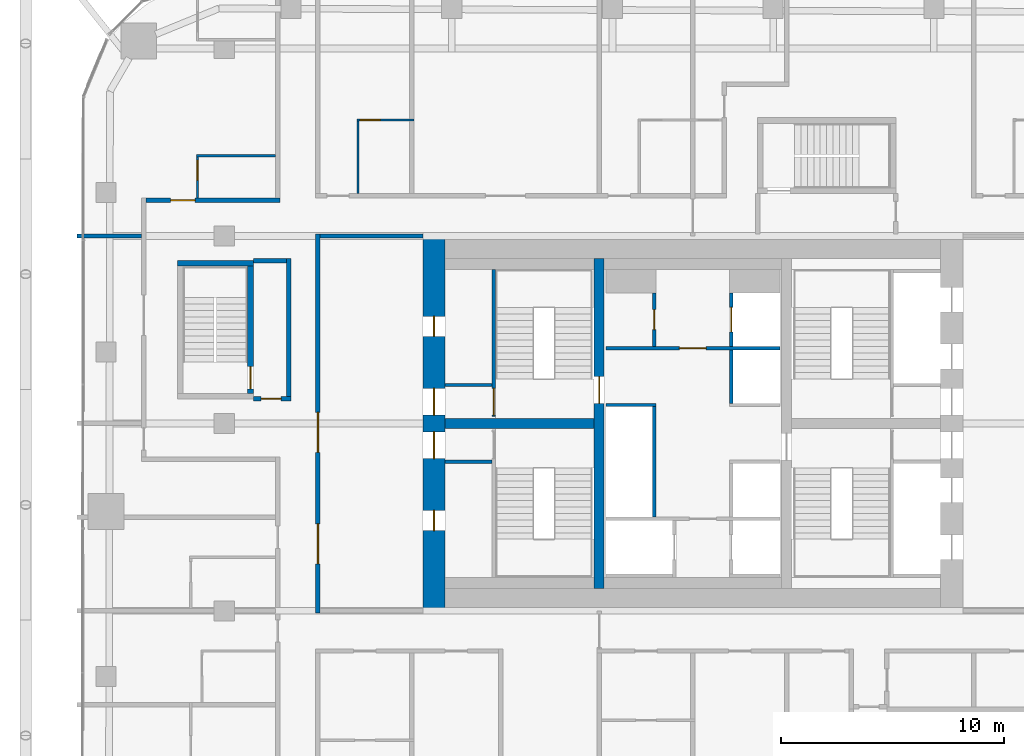
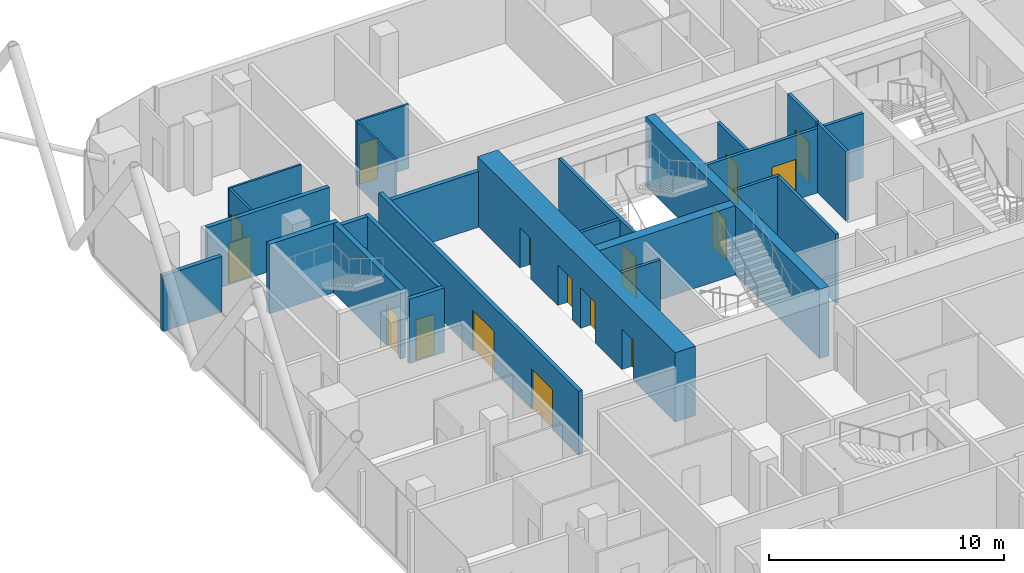
# One storey, part 28 of 33: 25 walls, 16 doors, 16 openings.
"""IFC4 building model written with IfcOpenShell, lengths in metres."""

from ifc_helpers import new_model, si_unit, direction, frame, frame_2d, origin, place, context, subcontext, project, spatial, rectangle, extrude, material, layer, layer_set, type_object, element, fill, save


model = new_model("IFC4")

# Units and contexts
model_context = context("Model", 3, precision=1e-05, world=origin(), true_north=direction((0.0, 1.0)))
body_context = subcontext(model_context, "Body", "Model", "MODEL_VIEW")
ifc_project = project(units=[si_unit("LENGTHUNIT", "METRE"), si_unit("AREAUNIT", "SQUARE_METRE"), si_unit("VOLUMEUNIT", "CUBIC_METRE"), si_unit("PLANEANGLEUNIT", "RADIAN"), si_unit("MASSUNIT", "GRAM", prefix="KILO")], contexts=[model_context])

# Site, building, storey
site_placement = place(None, origin())
site = spatial("IfcSite", under=ifc_project, at=site_placement, CompositionType="ELEMENT")
building_placement = place(site_placement, origin())
building = spatial("IfcBuilding", under=site, at=building_placement, Name="Marenta Gate Hotel Tower", CompositionType="ELEMENT")
storey_placement = place(building_placement, frame((0.0, 0.0, 137.300048828125)))
storey = spatial("IfcBuildingStorey", under=building, at=storey_placement, Name="L31", CompositionType="ELEMENT", Elevation=137.300048828125)

# Wall, openings, doors
ifc_material_1 = material(Name="Concrete blockwork", Category="masonry")
ifc_layer_1 = layer(ifc_material_1, 0.199951171875)
ifc_layer_set_1 = layer_set([ifc_layer_1], Name="Concrete blockwork")
wall_type_1 = type_object("IfcWallType", Name="Core boundary wall 200 REI 180", PredefinedType="PARTITIONING", material=ifc_layer_set_1)
wall_1_placement = place(storey_placement, frame((-16.800048828125, -0.10009765625, 0.0), z_axis=(0.0, 0.0, 1.0), x_axis=(0.0, 1.0, 0.0)))
wall_1 = element("IfcWall", 1, at=wall_1_placement, inside=storey, type_object=wall_type_1, Name="L31-CP-BW-W", PredefinedType="PARTITIONING", context=body_context, shape_type="SweptSolid", body=[
    extrude(rectangle(XDim=17.0, YDim=0.199951171875, at=frame_2d((8.5, 0.0))), origin(), (0.0, 0.0, 1.0), 3.33984375),
])
opening_1_placement = place(wall_1_placement, frame((2.199951171875, 0.0, 0.0)))
opening_1 = element("IfcOpeningElement", 2, at=opening_1_placement, cuts=wall_1, Name="Opening ED-Wa-B", PredefinedType="OPENING", context=body_context, shape_type="SweptSolid", body=[
    extrude(rectangle(XDim=1.800048828125, YDim=2.10009765625, at=frame_2d((0.89990234375, 1.050048828125))), frame((0.0, 0.10009765625, 0.0), z_axis=(0.0, -1.0, 0.0), x_axis=(1.0, 0.0, 0.0)), (0.0, 0.0, 1.0), 0.199951171875),
])
opening_2_placement = place(wall_1_placement, frame((7.199951171875, 0.0, 0.0)))
opening_2 = element("IfcOpeningElement", 3, at=opening_2_placement, cuts=wall_1, Name="Opening ED-Wb-B", PredefinedType="OPENING", context=body_context, shape_type="SweptSolid", body=[
    extrude(rectangle(XDim=1.800048828125, YDim=2.10009765625, at=frame_2d((0.89990234375, 1.050048828125))), frame((0.0, 0.10009765625, 0.0), z_axis=(0.0, -1.0, 0.0), x_axis=(1.0, 0.0, 0.0)), (0.0, 0.0, 1.0), 0.199951171875),
])
ifc_material_2 = material(Name="Steel", Category="steel")
door_type_1 = type_object("IfcDoorType", Name="Core lobby entrance door 1800x2100 EI 60", OperationType="DOUBLE_DOOR_SINGLE_SWING", PredefinedType="DOOR", material=ifc_material_2)
door_1_placement = place(opening_1_placement, origin())
door_1 = element("IfcDoor", 4, at=door_1_placement, inside=storey, type_object=door_type_1, Name="ED-Wa-B", OperationType="DOUBLE_DOOR_SINGLE_SWING", OverallHeight=2.10009765625, OverallWidth=1.800048828125, PredefinedType="DOOR", context=body_context, shape_type="SweptSolid", body=[
    extrude(rectangle(XDim=1.800048828125, YDim=2.10009765625, at=frame_2d((0.89990234375, 1.050048828125))), frame((0.0, 0.02490234375, 0.0), z_axis=(0.0, -1.0, 0.0), x_axis=(1.0, 0.0, 0.0)), (0.0, 0.0, 1.0), 0.050048828125),
])
fill(opening_1, door_1)
door_2_placement = place(opening_2_placement, origin())
door_2 = element("IfcDoor", 5, at=door_2_placement, inside=storey, type_object=door_type_1, Name="ED-Wb-B", OperationType="DOUBLE_DOOR_SINGLE_SWING", OverallHeight=2.10009765625, OverallWidth=1.800048828125, PredefinedType="DOOR", context=body_context, shape_type="SweptSolid", body=[
    extrude(rectangle(XDim=1.800048828125, YDim=2.10009765625, at=frame_2d((0.89990234375, 1.050048828125))), frame((0.0, 0.02490234375, 0.0), z_axis=(0.0, -1.0, 0.0), x_axis=(1.0, 0.0, 0.0)), (0.0, 0.0, 1.0), 0.050048828125),
])
fill(opening_2, door_2)

# Wall
wall_2_placement = place(storey_placement, frame((-16.699951171875, 16.800048828125, 0.0), z_axis=(0.0, 0.0, 1.0), x_axis=(1.0, 0.0, 0.0)))
element("IfcWall", 6, at=wall_2_placement, inside=storey, type_object=wall_type_1, Name="L31-CP-EW-WN", PredefinedType="PARTITIONING", context=body_context, shape_type="SweptSolid", body=[
    extrude(rectangle(XDim=4.599853515625, YDim=0.199951171875, at=frame_2d((2.2998046875, 0.0))), origin(), (0.0, 0.0, 1.0), 2.889892578125),
])

# Wall, opening, door
ifc_material_3 = material(Name="Concrete blockwork", Category="masonry")
ifc_layer_2 = layer(ifc_material_3, 0.14990234375)
ifc_layer_set_2 = layer_set([ifc_layer_2], Name="Concrete blockwork")
wall_type_2 = type_object("IfcWallType", Name="Core lobby partition 150 REI 180", PredefinedType="PARTITIONING", material=ifc_layer_set_2)
wall_3_placement = place(storey_placement, frame((-3.89990234375, 11.77490234375, 0.0), z_axis=(0.0, 0.0, 1.0), x_axis=(1.0, 0.0, 0.0)))
wall_3 = element("IfcWall", 7, at=wall_3_placement, inside=storey, type_object=wall_type_2, Name="L31-CP-CW-N", PredefinedType="PARTITIONING", context=body_context, shape_type="SweptSolid", body=[
    extrude(rectangle(XDim=7.7998046875, YDim=0.14990234375, at=frame_2d((3.89990234375, 0.0))), origin(), (0.0, 0.0, 1.0), 3.33984375),
])
opening_3_placement = place(wall_3_placement, frame((3.300048828125, 0.0, 0.0)))
opening_3 = element("IfcOpeningElement", 8, at=opening_3_placement, cuts=wall_3, Name="Opening FD-FFN", PredefinedType="OPENING", context=body_context, shape_type="SweptSolid", body=[
    extrude(rectangle(XDim=1.199951171875, YDim=2.10009765625, at=frame_2d((0.60009765625, 1.050048828125))), frame((0.0, 0.074951171875, 0.0), z_axis=(0.0, -1.0, 0.0), x_axis=(1.0, 0.0, 0.0)), (0.0, 0.0, 1.0), 0.14990234375),
])
ifc_material_4 = material(Name="Steel", Category="steel")
door_type_2 = type_object("IfcDoorType", Name="Core lobby door 1200x2100 FD60", OperationType="SINGLE_SWING_LEFT", PredefinedType="DOOR", material=ifc_material_4)
door_3_placement = place(opening_3_placement, origin())
door_3 = element("IfcDoor", 9, at=door_3_placement, inside=storey, type_object=door_type_2, Name="FD-FFN", OperationType="SINGLE_SWING_LEFT", OverallHeight=2.10009765625, OverallWidth=1.199951171875, PredefinedType="DOOR", context=body_context, shape_type="SweptSolid", body=[
    extrude(rectangle(XDim=1.199951171875, YDim=2.10009765625, at=frame_2d((0.60009765625, 1.050048828125))), frame((0.0, 0.02490234375, 0.0), z_axis=(0.0, -1.0, 0.0), x_axis=(1.0, 0.0, 0.0)), (0.0, 0.0, 1.0), 0.050048828125),
])
fill(opening_3, door_3)

# Walls
ifc_material_5 = material(Name="Concrete blockwork", Category="masonry")
ifc_layer_3 = layer(ifc_material_5, 0.14990234375)
ifc_layer_set_3 = layer_set([ifc_layer_3], Name="Concrete blockwork")
wall_type_3 = type_object("IfcWallType", Name="Core room partition 150 REI 180", PredefinedType="PARTITIONING", material=ifc_layer_set_3)
for number, where, z_axis, x_axis, name in (
    (10, (-11.10009765625, 6.675048828125, 0.0), (0.0, 0.0, 1.0), (1.0, 0.0, 0.0), "L31-CP-SW-WS-2"),
    (11, (-11.10009765625, 10.125, 0.0), (0.0, 0.0, 1.0), (1.0, 0.0, 0.0), "L31-CP-SW-WN-2"),
):
    element("IfcWall", number, at=place(storey_placement, frame(where, z_axis=z_axis, x_axis=x_axis)), inside=storey, type_object=wall_type_3, Name=name, PredefinedType="PARTITIONING", context=body_context, shape_type="SweptSolid", body=[
        extrude(rectangle(XDim=2.10009765625, YDim=0.14990234375, at=frame_2d((1.050048828125, 0.0))), origin(), (0.0, 0.0, 1.0), 3.33984375),
    ])

# Wall, opening, door
wall_4_placement = place(storey_placement, frame((-1.72509765625, 11.85009765625, 0.0), z_axis=(0.0, 0.0, 1.0), x_axis=(0.0, 1.0, 0.0)))
wall_4 = element("IfcWall", 12, at=wall_4_placement, inside=storey, type_object=wall_type_3, Name="L31-CP-CW-W-riser-front", PredefinedType="PARTITIONING", context=body_context, shape_type="SweptSolid", body=[
    extrude(rectangle(XDim=2.39990234375, YDim=0.14990234375, at=frame_2d((1.199951171875, 0.0))), origin(), (0.0, 0.0, 1.0), 3.33984375),
])
opening_4_placement = place(wall_4_placement, frame((0.75, 0.0, 0.0)))
opening_4 = element("IfcOpeningElement", 13, at=opening_4_placement, cuts=wall_4, Name="Opening RD-CRISER", PredefinedType="OPENING", context=body_context, shape_type="SweptSolid", body=[
    extrude(rectangle(XDim=0.89990234375, YDim=2.10009765625, at=frame_2d((0.449951171875, 1.050048828125))), frame((0.0, 0.074951171875, 0.0), z_axis=(0.0, -1.0, 0.0), x_axis=(1.0, 0.0, 0.0)), (0.0, 0.0, 1.0), 0.14990234375),
])
ifc_material_6 = material(Name="Steel", Category="steel")
door_type_3 = type_object("IfcDoorType", Name="Core riser door 900x2100 FD60", OperationType="SINGLE_SWING_LEFT", PredefinedType="DOOR", material=ifc_material_6)
door_4_placement = place(opening_4_placement, origin())
door_4 = element("IfcDoor", 14, at=door_4_placement, inside=storey, type_object=door_type_3, Name="RD-CRISER", OperationType="SINGLE_SWING_LEFT", OverallHeight=2.10009765625, OverallWidth=0.89990234375, PredefinedType="DOOR", context=body_context, shape_type="SweptSolid", body=[
    extrude(rectangle(XDim=0.89990234375, YDim=2.10009765625, at=frame_2d((0.449951171875, 1.050048828125))), frame((0.0, 0.02490234375, 0.0), z_axis=(0.0, -1.0, 0.0), x_axis=(1.0, 0.0, 0.0)), (0.0, 0.0, 1.0), 0.050048828125),
])
fill(opening_4, door_4)

# Walls
ifc_material_7 = material(Name="Concrete C40", Category="concrete")
ifc_layer_4 = layer(ifc_material_7, 0.14990234375)
ifc_layer_set_4 = layer_set([ifc_layer_4], Name="Concrete C40")
wall_type_4 = type_object("IfcWallType", Name="Core shaft wall 150 REI 180", PredefinedType="SHEAR", material=ifc_layer_set_4)
wall_5_placement = place(storey_placement, frame((-1.72509765625, 4.199951171875, 0.0), z_axis=(0.0, 0.0, 1.0), x_axis=(0.0, 1.0, 0.0)))
element("IfcWall", 15, at=wall_5_placement, inside=storey, type_object=wall_type_4, Name="L31-SHF-CW-W-front", PredefinedType="SHEAR", context=body_context, shape_type="SweptSolid", body=[
    extrude(rectangle(XDim=4.949951171875, YDim=0.14990234375, at=frame_2d((2.47509765625, 0.0))), origin(), (0.0, 0.0, 1.0), 3.599853515625),
])
wall_6_placement = place(storey_placement, frame((-3.89990234375, 9.22509765625, 0.0), z_axis=(0.0, 0.0, 1.0), x_axis=(1.0, 0.0, 0.0)))
element("IfcWall", 16, at=wall_6_placement, inside=storey, type_object=wall_type_4, Name="L31-SHF-CW-W-sep", PredefinedType="SHEAR", context=body_context, shape_type="SweptSolid", body=[
    extrude(rectangle(XDim=2.25, YDim=0.14990234375, at=frame_2d((1.125, 0.0))), origin(), (0.0, 0.0, 1.0), 3.599853515625),
])

# Wall, opening, door
wall_7_placement = place(storey_placement, frame((1.72509765625, 11.85009765625, 0.0), z_axis=(0.0, 0.0, 1.0), x_axis=(0.0, 1.0, 0.0)))
wall_7 = element("IfcWall", 17, at=wall_7_placement, inside=storey, type_object=wall_type_4, Name="L31-SHF-CE-N-front2", PredefinedType="SHEAR", context=body_context, shape_type="SweptSolid", body=[
    extrude(rectangle(XDim=2.39990234375, YDim=0.14990234375, at=frame_2d((1.199951171875, 0.0))), origin(), (0.0, 0.0, 1.0), 3.599853515625),
])
opening_5_placement = place(wall_7_placement, frame((0.64990234375, 0.0, 0.0)))
opening_5 = element("IfcOpeningElement", 18, at=opening_5_placement, cuts=wall_7, Name="Opening LD-FF2", PredefinedType="OPENING", context=body_context, shape_type="SweptSolid", body=[
    extrude(rectangle(XDim=1.10009765625, YDim=2.10009765625, at=frame_2d((0.550048828125, 1.050048828125))), frame((0.0, 0.074951171875, 0.0), z_axis=(0.0, -1.0, 0.0), x_axis=(1.0, 0.0, 0.0)), (0.0, 0.0, 1.0), 0.14990234375),
])
ifc_material_8 = material(Name="Steel", Category="steel")
door_type_4 = type_object("IfcDoorType", Name="Core lift landing door 1100x2100 E 60", OperationType="SLIDING_TO_LEFT", PredefinedType="DOOR", material=ifc_material_8)
door_5_placement = place(opening_5_placement, origin())
door_5 = element("IfcDoor", 19, at=door_5_placement, inside=storey, type_object=door_type_4, Name="LD-FF2", OperationType="SLIDING_TO_LEFT", OverallHeight=2.10009765625, OverallWidth=1.10009765625, PredefinedType="DOOR", context=body_context, shape_type="SweptSolid", body=[
    extrude(rectangle(XDim=1.10009765625, YDim=2.10009765625, at=frame_2d((0.550048828125, 1.050048828125))), frame((0.0, 0.02490234375, 0.0), z_axis=(0.0, -1.0, 0.0), x_axis=(1.0, 0.0, 0.0)), (0.0, 0.0, 1.0), 0.050048828125),
])
fill(opening_5, door_5)

# Wall
wall_8_placement = place(storey_placement, frame((1.72509765625, 9.300048828125, 0.0), z_axis=(0.0, 0.0, 1.0), x_axis=(0.0, 1.0, 0.0)))
element("IfcWall", 20, at=wall_8_placement, inside=storey, type_object=wall_type_4, Name="L31-SHF-CE-front-2", PredefinedType="SHEAR", context=body_context, shape_type="SweptSolid", body=[
    extrude(rectangle(XDim=2.39990234375, YDim=0.14990234375, at=frame_2d((1.199951171875, 0.0))), origin(), (0.0, 0.0, 1.0), 3.599853515625),
])

# Wall, opening, door
ifc_material_9 = material(Name="Concrete C40", Category="concrete")
ifc_layer_5 = layer(ifc_material_9, 0.14990234375)
ifc_layer_set_5 = layer_set([ifc_layer_5], Name="Concrete C40")
wall_type_5 = type_object("IfcWallType", Name="Core stair enclosure wall 150 REI 180", PredefinedType="SHEAR", material=ifc_layer_set_5)
wall_9_placement = place(storey_placement, frame((-8.925048828125, 8.699951171875, 0.0), z_axis=(0.0, 0.0, 1.0), x_axis=(0.0, 1.0, 0.0)))
wall_9 = element("IfcWall", 21, at=wall_9_placement, inside=storey, type_object=wall_type_5, Name="L31-SHF-SW-WN-3", PredefinedType="SHEAR", context=body_context, shape_type="SweptSolid", body=[
    extrude(rectangle(XDim=6.60009765625, YDim=0.14990234375, at=frame_2d((3.300048828125, 0.0))), origin(), (0.0, 0.0, 1.0), 3.33984375),
])
opening_6_placement = place(wall_9_placement, frame((0.074951171875, 0.0, 0.0)))
opening_6 = element("IfcOpeningElement", 22, at=opening_6_placement, cuts=wall_9, Name="Opening SD-WN", PredefinedType="OPENING", context=body_context, shape_type="SweptSolid", body=[
    extrude(rectangle(XDim=1.199951171875, YDim=2.10009765625, at=frame_2d((0.60009765625, 1.050048828125))), frame((0.0, 0.074951171875, 0.0), z_axis=(0.0, -1.0, 0.0), x_axis=(1.0, 0.0, 0.0)), (0.0, 0.0, 1.0), 0.14990234375),
])
ifc_material_10 = material(Name="Steel", Category="steel")
door_type_5 = type_object("IfcDoorType", Name="Core stair door 1200x2100 FD60", OperationType="SINGLE_SWING_LEFT", PredefinedType="DOOR", material=ifc_material_10)
door_6_placement = place(opening_6_placement, origin())
door_6 = element("IfcDoor", 23, at=door_6_placement, inside=storey, type_object=door_type_5, Name="SD-WN", OperationType="SINGLE_SWING_LEFT", OverallHeight=2.10009765625, OverallWidth=1.199951171875, PredefinedType="DOOR", context=body_context, shape_type="SweptSolid", body=[
    extrude(rectangle(XDim=1.199951171875, YDim=2.10009765625, at=frame_2d((0.60009765625, 1.050048828125))), frame((0.0, 0.02490234375, 0.0), z_axis=(0.0, -1.0, 0.0), x_axis=(1.0, 0.0, 0.0)), (0.0, 0.0, 1.0), 0.050048828125),
])
fill(opening_6, door_6)

# Wall, openings, doors
ifc_material_11 = material(Name="Concrete C70", Category="concrete")
ifc_layer_6 = layer(ifc_material_11, 1.0)
ifc_layer_set_6 = layer_set([ifc_layer_6], Name="Concrete C70")
wall_type_6 = type_object("IfcWallType", Name="Core wall 1000 C70", PredefinedType="SHEAR", material=ifc_layer_set_6)
wall_10_placement = place(storey_placement, frame((-11.60009765625, 0.0, 0.0), z_axis=(0.0, 0.0, 1.0), x_axis=(0.0, 1.0, 0.0)))
wall_10 = element("IfcWall", 24, at=wall_10_placement, inside=storey, type_object=wall_type_6, Name="L31-CORE-W", PredefinedType="SHEAR", context=body_context, shape_type="SweptSolid", body=[
    extrude(rectangle(XDim=16.800048828125, YDim=1.0, at=frame_2d((8.39990234375, 0.0))), origin(), (0.0, 0.0, 1.0), 3.599853515625),
])
opening_7_placement = place(wall_10_placement, frame((3.60009765625, 0.0, 0.0)))
opening_7 = element("IfcOpeningElement", 25, at=opening_7_placement, cuts=wall_10, Name="Opening RD-WS-1", PredefinedType="OPENING", context=body_context, shape_type="SweptSolid", body=[
    extrude(rectangle(XDim=0.89990234375, YDim=2.10009765625, at=frame_2d((0.449951171875, 1.050048828125))), frame((0.0, 0.5, 0.0), z_axis=(0.0, -1.0, 0.0), x_axis=(1.0, 0.0, 0.0)), (0.0, 0.0, 1.0), 1.0),
])
opening_8_placement = place(wall_10_placement, frame((6.824951171875, 0.0, 0.0)))
opening_8 = element("IfcOpeningElement", 26, at=opening_8_placement, cuts=wall_10, Name="Opening PD-WS", PredefinedType="OPENING", context=body_context, shape_type="SweptSolid", body=[
    extrude(rectangle(XDim=1.199951171875, YDim=2.10009765625, at=frame_2d((0.60009765625, 1.050048828125))), frame((0.0, 0.5, 0.0), z_axis=(0.0, -1.0, 0.0), x_axis=(1.0, 0.0, 0.0)), (0.0, 0.0, 1.0), 1.0),
])
opening_9_placement = place(wall_10_placement, frame((12.300048828125, 0.0, 0.0)))
opening_9 = element("IfcOpeningElement", 27, at=opening_9_placement, cuts=wall_10, Name="Opening RD-WN-1", PredefinedType="OPENING", context=body_context, shape_type="SweptSolid", body=[
    extrude(rectangle(XDim=0.89990234375, YDim=2.10009765625, at=frame_2d((0.449951171875, 1.050048828125))), frame((0.0, 0.5, 0.0), z_axis=(0.0, -1.0, 0.0), x_axis=(1.0, 0.0, 0.0)), (0.0, 0.0, 1.0), 1.0),
])
opening_10_placement = place(wall_10_placement, frame((8.77490234375, 0.0, 0.0)))
opening_10 = element("IfcOpeningElement", 28, at=opening_10_placement, cuts=wall_10, Name="Opening PD-WN", PredefinedType="OPENING", context=body_context, shape_type="SweptSolid", body=[
    extrude(rectangle(XDim=1.199951171875, YDim=2.10009765625, at=frame_2d((0.60009765625, 1.050048828125))), frame((0.0, 0.5, 0.0), z_axis=(0.0, -1.0, 0.0), x_axis=(1.0, 0.0, 0.0)), (0.0, 0.0, 1.0), 1.0),
])
door_7_placement = place(opening_8_placement, origin())
door_7 = element("IfcDoor", 29, at=door_7_placement, inside=storey, type_object=door_type_2, Name="PD-WS", OperationType="SINGLE_SWING_LEFT", OverallHeight=2.10009765625, OverallWidth=1.199951171875, PredefinedType="DOOR", context=body_context, shape_type="SweptSolid", body=[
    extrude(rectangle(XDim=1.199951171875, YDim=2.10009765625, at=frame_2d((0.60009765625, 1.050048828125))), frame((0.0, 0.02490234375, 0.0), z_axis=(0.0, -1.0, 0.0), x_axis=(1.0, 0.0, 0.0)), (0.0, 0.0, 1.0), 0.050048828125),
])
fill(opening_8, door_7)
door_8_placement = place(opening_10_placement, origin())
door_8 = element("IfcDoor", 30, at=door_8_placement, inside=storey, type_object=door_type_2, Name="PD-WN", OperationType="SINGLE_SWING_LEFT", OverallHeight=2.10009765625, OverallWidth=1.199951171875, PredefinedType="DOOR", context=body_context, shape_type="SweptSolid", body=[
    extrude(rectangle(XDim=1.199951171875, YDim=2.10009765625, at=frame_2d((0.60009765625, 1.050048828125))), frame((0.0, 0.02490234375, 0.0), z_axis=(0.0, -1.0, 0.0), x_axis=(1.0, 0.0, 0.0)), (0.0, 0.0, 1.0), 0.050048828125),
])
fill(opening_10, door_8)
ifc_material_12 = material(Name="Steel", Category="steel")
door_type_6 = type_object("IfcDoorType", Name="Core service room door 900x2100 FD30S", OperationType="SINGLE_SWING_LEFT", PredefinedType="DOOR", material=ifc_material_12)
door_9_placement = place(opening_7_placement, origin())
door_9 = element("IfcDoor", 31, at=door_9_placement, inside=storey, type_object=door_type_6, Name="RD-WS-1", OperationType="SINGLE_SWING_LEFT", OverallHeight=2.10009765625, OverallWidth=0.89990234375, PredefinedType="DOOR", context=body_context, shape_type="SweptSolid", body=[
    extrude(rectangle(XDim=0.89990234375, YDim=2.10009765625, at=frame_2d((0.449951171875, 1.050048828125))), frame((0.0, 0.02490234375, 0.0), z_axis=(0.0, -1.0, 0.0), x_axis=(1.0, 0.0, 0.0)), (0.0, 0.0, 1.0), 0.050048828125),
])
fill(opening_7, door_9)
door_10_placement = place(opening_9_placement, origin())
door_10 = element("IfcDoor", 32, at=door_10_placement, inside=storey, type_object=door_type_6, Name="RD-WN-1", OperationType="SINGLE_SWING_LEFT", OverallHeight=2.10009765625, OverallWidth=0.89990234375, PredefinedType="DOOR", context=body_context, shape_type="SweptSolid", body=[
    extrude(rectangle(XDim=0.89990234375, YDim=2.10009765625, at=frame_2d((0.449951171875, 1.050048828125))), frame((0.0, 0.02490234375, 0.0), z_axis=(0.0, -1.0, 0.0), x_axis=(1.0, 0.0, 0.0)), (0.0, 0.0, 1.0), 0.050048828125),
])
fill(opening_9, door_10)

# Wall, opening, door
ifc_material_13 = material(Name="Concrete C70", Category="concrete")
ifc_layer_7 = layer(ifc_material_13, 0.449951171875)
ifc_layer_set_7 = layer_set([ifc_layer_7], Name="Concrete C70")
wall_type_7 = type_object("IfcWallType", Name="Core web 450 C70", PredefinedType="SHEAR", material=ifc_layer_set_7)
wall_11_placement = place(storey_placement, frame((-4.199951171875, 1.0, 0.0), z_axis=(0.0, 0.0, 1.0), x_axis=(0.0, 1.0, 0.0)))
wall_11 = element("IfcWall", 33, at=wall_11_placement, inside=storey, type_object=wall_type_7, Name="L31-CORE-W1", PredefinedType="SHEAR", context=body_context, shape_type="SweptSolid", body=[
    extrude(rectangle(XDim=14.800048828125, YDim=0.449951171875, at=frame_2d((7.39990234375, 0.0))), origin(), (0.0, 0.0, 1.0), 3.599853515625),
])
opening_11_placement = place(wall_11_placement, frame((8.300048828125, 0.0, 0.0)))
opening_11 = element("IfcOpeningElement", 34, at=opening_11_placement, cuts=wall_11, Name="Opening WD-W", PredefinedType="OPENING", context=body_context, shape_type="SweptSolid", body=[
    extrude(rectangle(XDim=1.199951171875, YDim=2.10009765625, at=frame_2d((0.60009765625, 1.050048828125))), frame((0.0, 0.22509765625, 0.0), z_axis=(0.0, -1.0, 0.0), x_axis=(1.0, 0.0, 0.0)), (0.0, 0.0, 1.0), 0.449951171875),
])
door_11_placement = place(opening_11_placement, origin())
door_11 = element("IfcDoor", 35, at=door_11_placement, inside=storey, type_object=door_type_5, Name="WD-W", OperationType="SINGLE_SWING_LEFT", OverallHeight=2.10009765625, OverallWidth=1.199951171875, PredefinedType="DOOR", context=body_context, shape_type="SweptSolid", body=[
    extrude(rectangle(XDim=1.199951171875, YDim=2.10009765625, at=frame_2d((0.60009765625, 1.050048828125))), frame((0.0, 0.02490234375, 0.0), z_axis=(0.0, -1.0, 0.0), x_axis=(1.0, 0.0, 0.0)), (0.0, 0.0, 1.0), 0.050048828125),
])
fill(opening_11, door_11)

# Walls
wall_12_placement = place(storey_placement, frame((-11.10009765625, 8.39990234375, 0.0), z_axis=(0.0, 0.0, 1.0), x_axis=(1.0, 0.0, 0.0)))
element("IfcWall", 36, at=wall_12_placement, inside=storey, type_object=wall_type_7, Name="L31-CORE-W3", PredefinedType="SHEAR", context=body_context, shape_type="SweptSolid", body=[
    extrude(rectangle(XDim=6.675048828125, YDim=0.449951171875, at=frame_2d((3.33740234375, 0.0))), origin(), (0.0, 0.0, 1.0), 3.599853515625),
])
ifc_material_14 = material(Name="Concrete C40", Category="concrete")
ifc_layer_8 = layer(ifc_material_14, 0.25)
ifc_layer_set_8 = layer_set([ifc_layer_8], Name="Concrete C40")
wall_type_8 = type_object("IfcWallType", Name="Remote stair enclosure wall 250 REI 180", PredefinedType="SHEAR", material=ifc_layer_set_8)
wall_13_placement = place(storey_placement, frame((-23.10009765625, 15.574951171875, 0.099853515625), z_axis=(0.0, 0.0, 1.0), x_axis=(1.0, 0.0, 0.0)))
element("IfcWall", 37, at=wall_13_placement, inside=storey, type_object=wall_type_8, Name="L31-RS-Z1-3-W2", PredefinedType="SHEAR", context=body_context, shape_type="SweptSolid", body=[
    extrude(rectangle(XDim=3.400146484375, YDim=0.25, at=frame_2d((1.7001953125, 0.0))), origin(), (0.0, 0.0, 1.0), 3.60009765625),
])

# Wall, opening, door
wall_14_placement = place(storey_placement, frame((-19.824951171875, 9.75, 0.099853515625), z_axis=(0.0, 0.0, 1.0), x_axis=(0.0, 1.0, 0.0)))
wall_14 = element("IfcWall", 38, at=wall_14_placement, inside=storey, type_object=wall_type_8, Name="L31-RS-Z1-3-W4", PredefinedType="SHEAR", context=body_context, shape_type="SweptSolid", body=[
    extrude(rectangle(XDim=5.699951171875, YDim=0.25, at=frame_2d((2.85009765625, 0.0))), origin(), (0.0, 0.0, 1.0), 3.60009765625),
])
opening_12_placement = place(wall_14_placement, frame((0.199951171875, 0.0, 0.0)))
opening_12 = element("IfcOpeningElement", 39, at=opening_12_placement, cuts=wall_14, Name="Opening VD", PredefinedType="OPENING", context=body_context, shape_type="SweptSolid", body=[
    extrude(rectangle(XDim=1.0, YDim=2.10009765625, at=frame_2d((0.5, 1.050048828125))), frame((0.0, 0.125, 0.0), z_axis=(0.0, -1.0, 0.0), x_axis=(1.0, 0.0, 0.0)), (0.0, 0.0, 1.0), 0.25),
])
ifc_material_15 = material(Name="Steel", Category="steel")
door_type_7 = type_object("IfcDoorType", Name="Stair vestibule door 1000x2100 FD60", OperationType="SINGLE_SWING_LEFT", PredefinedType="DOOR", material=ifc_material_15)
door_12_placement = place(opening_12_placement, origin())
door_12 = element("IfcDoor", 40, at=door_12_placement, inside=storey, type_object=door_type_7, Name="VD", OperationType="SINGLE_SWING_LEFT", OverallHeight=2.10009765625, OverallWidth=1.0, PredefinedType="DOOR", context=body_context, shape_type="SweptSolid", body=[
    extrude(rectangle(XDim=1.0, YDim=2.10009765625, at=frame_2d((0.5, 1.050048828125))), frame((0.0, 0.02490234375, 0.0), z_axis=(0.0, -1.0, 0.0), x_axis=(1.0, 0.0, 0.0)), (0.0, 0.0, 1.0), 0.050048828125),
])
fill(opening_12, door_12)

ifc_material_16 = material(Name="Gypsum board on steel stud", Category="steel")
ifc_layer_9 = layer(ifc_material_16, 0.199951171875)
ifc_layer_set_9 = layer_set([ifc_layer_9], Name="Gypsum board on steel stud")
wall_type_9 = type_object("IfcWallType", Name="Room corridor wall 200 EI 60", PredefinedType="PARTITIONING", material=ifc_layer_set_9)
wall_15_placement = place(storey_placement, frame((-24.5, 18.39990234375, 0.0), z_axis=(0.0, 0.0, 1.0), x_axis=(1.0, 0.0, 0.0)))
wall_15 = element("IfcWall", 41, at=wall_15_placement, inside=storey, type_object=wall_type_9, Name="L31-PTN-W109", PredefinedType="PARTITIONING", context=body_context, shape_type="SweptSolid", body=[
    extrude(rectangle(XDim=6.0, YDim=0.199951171875, at=frame_2d((3.0, 0.0))), origin(), (0.0, 0.0, 1.0), 3.33984375),
])
opening_13_placement = place(wall_15_placement, frame((1.10009765625, 0.0, 0.0)))
opening_13 = element("IfcOpeningElement", 42, at=opening_13_placement, cuts=wall_15, Name="Opening G12-62", PredefinedType="OPENING", context=body_context, shape_type="SweptSolid", body=[
    extrude(rectangle(XDim=1.10009765625, YDim=2.10009765625, at=frame_2d((0.550048828125, 1.050048828125))), frame((0.0, 0.10009765625, 0.0), z_axis=(0.0, -1.0, 0.0), x_axis=(1.0, 0.0, 0.0)), (0.0, 0.0, 1.0), 0.199951171875),
])
ifc_material_17 = material(Name="Timber door leaf", Category="wood")
door_type_8 = type_object("IfcDoorType", Name="Guest room door 1100x2100 EI 30", OperationType="NOTDEFINED", PredefinedType="DOOR", material=ifc_material_17)
door_13_placement = place(opening_13_placement, origin())
door_13 = element("IfcDoor", 43, at=door_13_placement, inside=storey, type_object=door_type_8, Name="L31-PD-D062", OperationType="SINGLE_SWING_RIGHT", OverallHeight=2.10009765625, OverallWidth=1.10009765625, PredefinedType="DOOR", context=body_context, shape_type="SweptSolid", body=[
    extrude(rectangle(XDim=1.10009765625, YDim=2.10009765625, at=frame_2d((0.550048828125, 1.050048828125))), frame((0.0, 0.02490234375, 0.0), z_axis=(0.0, -1.0, 0.0), x_axis=(1.0, 0.0, 0.0)), (0.0, 0.0, 1.0), 0.050048828125),
])
fill(opening_13, door_13)

ifc_material_18 = material(Name="Concrete blockwork", Category="masonry")
ifc_layer_10 = layer(ifc_material_18, 0.199951171875)
ifc_layer_set_10 = layer_set([ifc_layer_10], Name="Concrete blockwork")
wall_type_10 = type_object("IfcWallType", Name="Room corridor wall 200 REI 180", PredefinedType="PARTITIONING", material=ifc_layer_set_10)
wall_16_placement = place(storey_placement, frame((-19.699951171875, 9.5, 0.0), z_axis=(0.0, 0.0, 1.0), x_axis=(1.0, 0.0, 0.0)))
wall_16 = element("IfcWall", 44, at=wall_16_placement, inside=storey, type_object=wall_type_10, Name="L31-PTN-W093", PredefinedType="PARTITIONING", context=body_context, shape_type="SweptSolid", body=[
    extrude(rectangle(XDim=1.699951171875, YDim=0.199951171875, at=frame_2d((0.85009765625, 0.0))), origin(), (0.0, 0.0, 1.0), 3.33984375),
])
opening_14_placement = place(wall_16_placement, frame((0.35009765625, 0.0, 0.0)))
opening_14 = element("IfcOpeningElement", 45, at=opening_14_placement, cuts=wall_16, Name="Opening G12-65", PredefinedType="OPENING", context=body_context, shape_type="SweptSolid", body=[
    extrude(rectangle(XDim=0.89990234375, YDim=2.10009765625, at=frame_2d((0.449951171875, 1.050048828125))), frame((0.0, 0.10009765625, 0.0), z_axis=(0.0, -1.0, 0.0), x_axis=(1.0, 0.0, 0.0)), (0.0, 0.0, 1.0), 0.199951171875),
])
ifc_material_19 = material(Name="Hollow steel door set", Category="steel")
door_type_9 = type_object("IfcDoorType", Name="Stair vestibule door 900x2100 EI 60", OperationType="NOTDEFINED", PredefinedType="DOOR", material=ifc_material_19)
door_14_placement = place(opening_14_placement, origin())
door_14 = element("IfcDoor", 46, at=door_14_placement, inside=storey, type_object=door_type_9, Name="L31-PD-D065", OperationType="SINGLE_SWING_RIGHT", OverallHeight=2.10009765625, OverallWidth=0.89990234375, PredefinedType="DOOR", context=body_context, shape_type="SweptSolid", body=[
    extrude(rectangle(XDim=0.89990234375, YDim=2.10009765625, at=frame_2d((0.449951171875, 1.050048828125))), frame((0.0, 0.02490234375, 0.0), z_axis=(0.0, -1.0, 0.0), x_axis=(1.0, 0.0, 0.0)), (0.0, 0.0, 1.0), 0.050048828125),
])
fill(opening_14, door_14)

# Walls
wall_17_placement = place(storey_placement, frame((-19.699951171875, 15.699951171875, 0.0), z_axis=(0.0, 0.0, 1.0), x_axis=(1.0, 0.0, 0.0)))
element("IfcWall", 47, at=wall_17_placement, inside=storey, type_object=wall_type_10, Name="L31-PTN-W102", PredefinedType="PARTITIONING", context=body_context, shape_type="SweptSolid", body=[
    extrude(rectangle(XDim=1.5, YDim=0.199951171875, at=frame_2d((0.75, 0.0))), origin(), (0.0, 0.0, 1.0), 3.33984375),
])
wall_18_placement = place(storey_placement, frame((-18.10009765625, 9.60009765625, 0.0), z_axis=(0.0, 0.0, 1.0), x_axis=(0.0, 1.0, 0.0)))
element("IfcWall", 48, at=wall_18_placement, inside=storey, type_object=wall_type_10, Name="L31-PTN-W108", PredefinedType="PARTITIONING", context=body_context, shape_type="SweptSolid", body=[
    extrude(rectangle(XDim=6.199951171875, YDim=0.199951171875, at=frame_2d((3.10009765625, 0.0))), origin(), (0.0, 0.0, 1.0), 3.33984375),
])
ifc_material_20 = material(Name="Gypsum board on steel stud", Category="steel")
ifc_layer_11 = layer(ifc_material_20, 0.10009765625)
ifc_layer_set_11 = layer_set([ifc_layer_11], Name="Gypsum board on steel stud")
wall_type_11 = type_object("IfcWallType", Name="Room partition 100", PredefinedType="PARTITIONING", material=ifc_layer_set_11)
wall_19_placement = place(storey_placement, frame((-15.0, 18.699951171875, 0.0), z_axis=(0.0, 0.0, 1.0), x_axis=(0.0, 1.0, 0.0)))
element("IfcWall", 49, at=wall_19_placement, inside=storey, type_object=wall_type_11, Name="L31-PTN-W100", PredefinedType="PARTITIONING", context=body_context, shape_type="SweptSolid", body=[
    extrude(rectangle(XDim=3.25, YDim=0.10009765625, at=frame_2d((1.625, 0.0))), origin(), (0.0, 0.0, 1.0), 3.33984375),
])
wall_20_placement = place(storey_placement, frame((-22.25, 20.39990234375, 0.0), z_axis=(0.0, 0.0, 1.0), x_axis=(1.0, 0.0, 0.0)))
element("IfcWall", 50, at=wall_20_placement, inside=storey, type_object=wall_type_11, Name="L31-PTN-W114", PredefinedType="PARTITIONING", context=body_context, shape_type="SweptSolid", body=[
    extrude(rectangle(XDim=3.550048828125, YDim=0.10009765625, at=frame_2d((1.77490234375, 0.0))), origin(), (0.0, 0.0, 1.0), 3.33984375),
])

# Wall, opening, door
wall_21_placement = place(storey_placement, frame((-15.050048828125, 22.0, 0.0), z_axis=(0.0, 0.0, 1.0), x_axis=(1.0, 0.0, 0.0)))
wall_21 = element("IfcWall", 51, at=wall_21_placement, inside=storey, type_object=wall_type_11, Name="L31-PTN-W118", PredefinedType="PARTITIONING", context=body_context, shape_type="SweptSolid", body=[
    extrude(rectangle(XDim=2.550048828125, YDim=0.10009765625, at=frame_2d((1.27490234375, 0.0))), origin(), (0.0, 0.0, 1.0), 3.33984375),
])
opening_15_placement = place(wall_21_placement, frame((0.14990234375, 0.0, 0.0)))
opening_15 = element("IfcOpeningElement", 52, at=opening_15_placement, cuts=wall_21, Name="Opening G12-30", PredefinedType="OPENING", context=body_context, shape_type="SweptSolid", body=[
    extrude(rectangle(XDim=0.89990234375, YDim=2.10009765625, at=frame_2d((0.449951171875, 1.050048828125))), frame((0.0, 0.050048828125, 0.0), z_axis=(0.0, -1.0, 0.0), x_axis=(1.0, 0.0, 0.0)), (0.0, 0.0, 1.0), 0.10009765625),
])
ifc_material_21 = material(Name="Timber door leaf", Category="wood")
door_type_10 = type_object("IfcDoorType", Name="Guest bathroom door 900x2100", OperationType="NOTDEFINED", PredefinedType="DOOR", material=ifc_material_21)
door_15_placement = place(opening_15_placement, origin())
door_15 = element("IfcDoor", 53, at=door_15_placement, inside=storey, type_object=door_type_10, Name="L31-PD-D030", OperationType="SINGLE_SWING_RIGHT", OverallHeight=2.10009765625, OverallWidth=0.89990234375, PredefinedType="DOOR", context=body_context, shape_type="SweptSolid", body=[
    extrude(rectangle(XDim=0.89990234375, YDim=2.10009765625, at=frame_2d((0.449951171875, 1.050048828125))), frame((0.0, 0.02490234375, 0.0), z_axis=(0.0, -1.0, 0.0), x_axis=(1.0, 0.0, 0.0)), (0.0, 0.0, 1.0), 0.050048828125),
])
fill(opening_15, door_15)

wall_22_placement = place(storey_placement, frame((-22.199951171875, 18.5, 0.0), z_axis=(0.0, 0.0, 1.0), x_axis=(0.0, 1.0, 0.0)))
wall_22 = element("IfcWall", 54, at=wall_22_placement, inside=storey, type_object=wall_type_11, Name="L31-PTN-W123", PredefinedType="PARTITIONING", context=body_context, shape_type="SweptSolid", body=[
    extrude(rectangle(XDim=1.85009765625, YDim=0.10009765625, at=frame_2d((0.925048828125, 0.0))), origin(), (0.0, 0.0, 1.0), 3.33984375),
])
opening_16_placement = place(wall_22_placement, frame((0.800048828125, 0.0, 0.0)))
opening_16 = element("IfcOpeningElement", 55, at=opening_16_placement, cuts=wall_22, Name="Opening G12-63", PredefinedType="OPENING", context=body_context, shape_type="SweptSolid", body=[
    extrude(rectangle(XDim=0.89990234375, YDim=2.10009765625, at=frame_2d((0.449951171875, 1.050048828125))), frame((0.0, 0.050048828125, 0.0), z_axis=(0.0, -1.0, 0.0), x_axis=(1.0, 0.0, 0.0)), (0.0, 0.0, 1.0), 0.10009765625),
])
door_16_placement = place(opening_16_placement, origin())
door_16 = element("IfcDoor", 56, at=door_16_placement, inside=storey, type_object=door_type_10, Name="L31-PD-D063", OperationType="SINGLE_SWING_LEFT", OverallHeight=2.10009765625, OverallWidth=0.89990234375, PredefinedType="DOOR", context=body_context, shape_type="SweptSolid", body=[
    extrude(rectangle(XDim=0.89990234375, YDim=2.10009765625, at=frame_2d((0.449951171875, 1.050048828125))), frame((0.0, 0.02490234375, 0.0), z_axis=(0.0, -1.0, 0.0), x_axis=(1.0, 0.0, 0.0)), (0.0, 0.0, 1.0), 0.050048828125),
])
fill(opening_16, door_16)

# Wall
ifc_material_22 = material(Name="Gypsum board on steel stud", Category="steel")
ifc_layer_12 = layer(ifc_material_22, 0.199951171875)
ifc_layer_set_12 = layer_set([ifc_layer_12], Name="Gypsum board on steel stud")
wall_type_12 = type_object("IfcWallType", Name="Room party wall 200 EI 60", PredefinedType="PARTITIONING", material=ifc_layer_set_12)
wall_23_placement = place(storey_placement, frame((-27.60009765625, 16.800048828125, 0.0), z_axis=(0.0, 0.0, 1.0), x_axis=(1.0, 0.0, 0.0)))
element("IfcWall", 57, at=wall_23_placement, inside=storey, type_object=wall_type_12, Name="L31-PTN-W106", PredefinedType="PARTITIONING", context=body_context, shape_type="SweptSolid", body=[
    extrude(rectangle(XDim=2.900146484375, YDim=0.199951171875, at=frame_2d((1.4501953125, 0.0))), origin(), (0.0, 0.0, 1.0), 2.889892578125),
])

save(model, "model.ifc")
